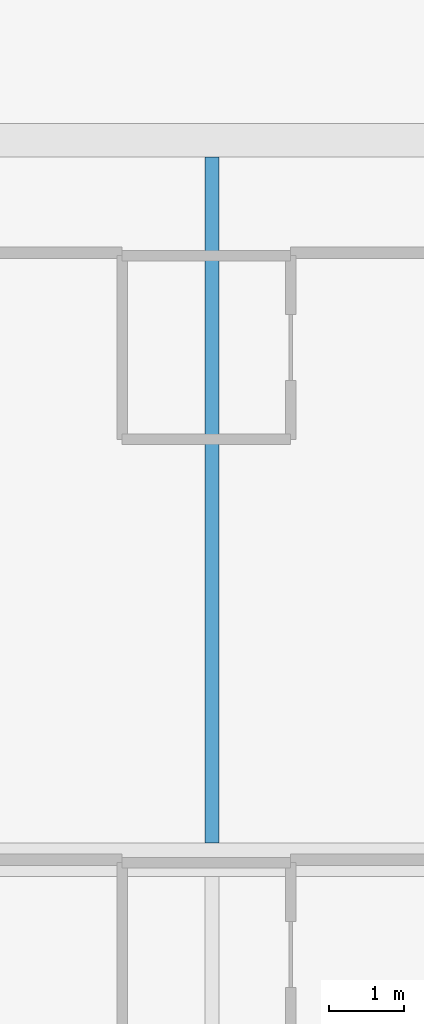
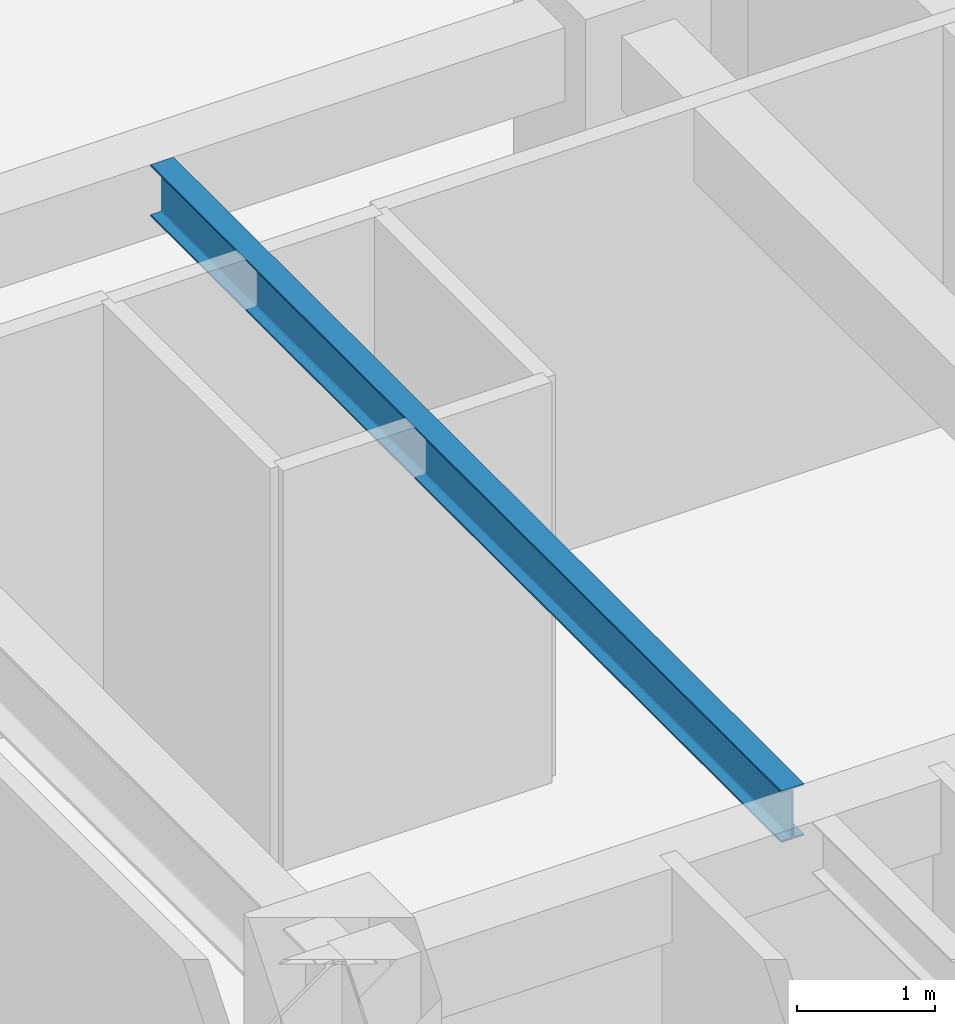
# One storey, part 2 of 11: 1 beam.
"""IFC4 building model written with IfcOpenShell, lengths in metres."""

from ifc_helpers import new_model, si_unit, direction, frame, origin, origin_2d, place, context, subcontext, project, spatial, i_section, extrude, material, material_profile, profile_set, type_object, element, save


model = new_model("IFC4")

# Units and contexts
model_context = context("Model", 3, precision=1e-05, world=origin(), true_north=direction((0.0, 1.0)))
body_context = subcontext(model_context, "Body", "Model", "MODEL_VIEW")
ifc_project = project(units=[si_unit("LENGTHUNIT", "METRE"), si_unit("AREAUNIT", "SQUARE_METRE"), si_unit("VOLUMEUNIT", "CUBIC_METRE"), si_unit("PLANEANGLEUNIT", "RADIAN"), si_unit("MASSUNIT", "GRAM", prefix="KILO")], contexts=[model_context])

# Site, building, storey
site_placement = place(None, origin())
site = spatial("IfcSite", under=ifc_project, at=site_placement, CompositionType="ELEMENT")
building_placement = place(site_placement, origin())
building = spatial("IfcBuilding", under=site, at=building_placement, Name="Kestravale Grand Hotel", CompositionType="ELEMENT")
storey_placement = place(building_placement, frame((0.0, 0.0, 165.0)))
storey = spatial("IfcBuildingStorey", under=building, at=storey_placement, Name="L41", CompositionType="ELEMENT", Elevation=165.0)

# Beam
ifc_material = material(Name="Steel ASTM A992 Grade 50", Category="steel")
ifc_material_profile = material_profile(ifc_material, i_section(OverallWidth=0.19091796875, OverallDepth=0.45703125, WebThickness=0.009033203125, FlangeThickness=0.014404296875, FilletRadius=0.015380859375, at=origin_2d()))
ifc_profile_set = profile_set([ifc_material_profile], Name="Steel ASTM A992 Grade 50")
beam_type = type_object("IfcBeamType", Name="B-FLR-JST18", PredefinedType="JOIST", material=ifc_profile_set)
beam_placement = place(storey_placement, frame((66.300048828125, 29.02490234375, 3.321533203125), z_axis=(0.0, 1.0, 0.0), x_axis=(-1.0, 0.0, 0.0)))
element("IfcBeam", 1, at=beam_placement, inside=storey, type_object=beam_type, Name="L41 floor joist 10-11/E-F #1", PredefinedType="JOIST", context=body_context, shape_type="SweptSolid", body=[
    extrude(i_section(OverallWidth=0.19091796875, OverallDepth=0.45703125, WebThickness=0.009033203125, FlangeThickness=0.014404296875, FilletRadius=0.015380859375, at=origin_2d()), origin(), (0.0, 0.0, 1.0), 9.150146484375),
])

save(model, "model.ifc")
